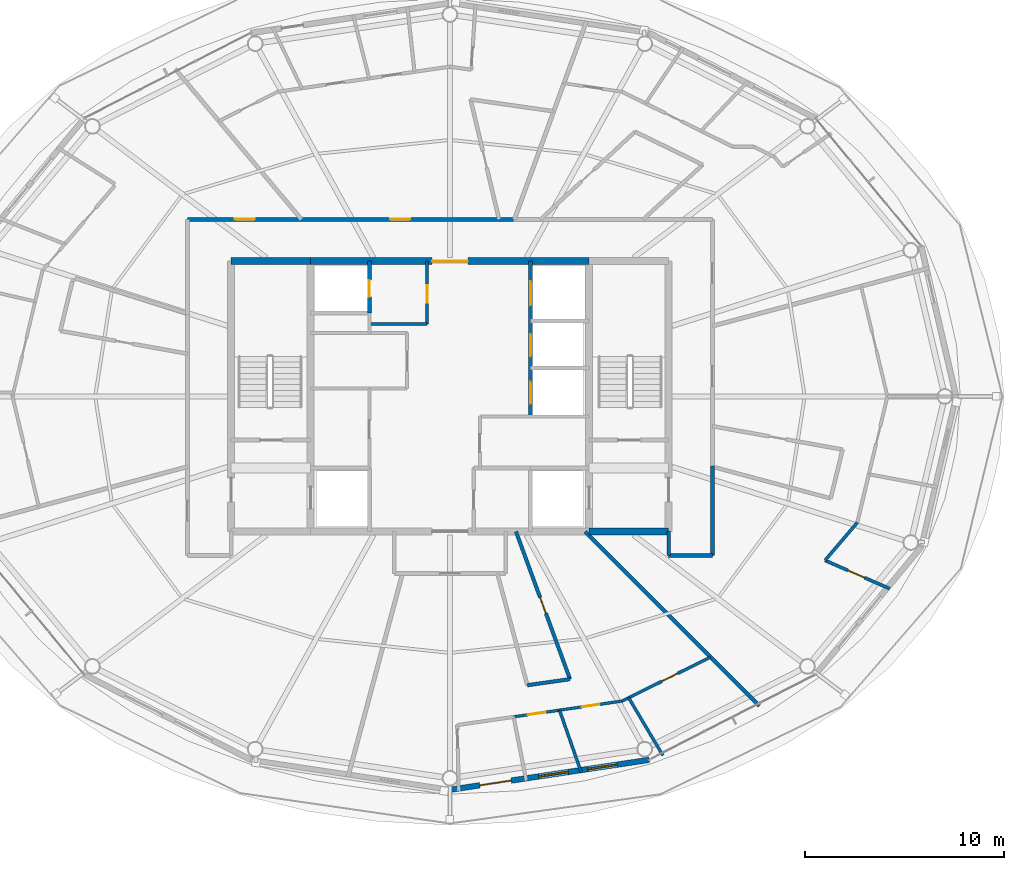
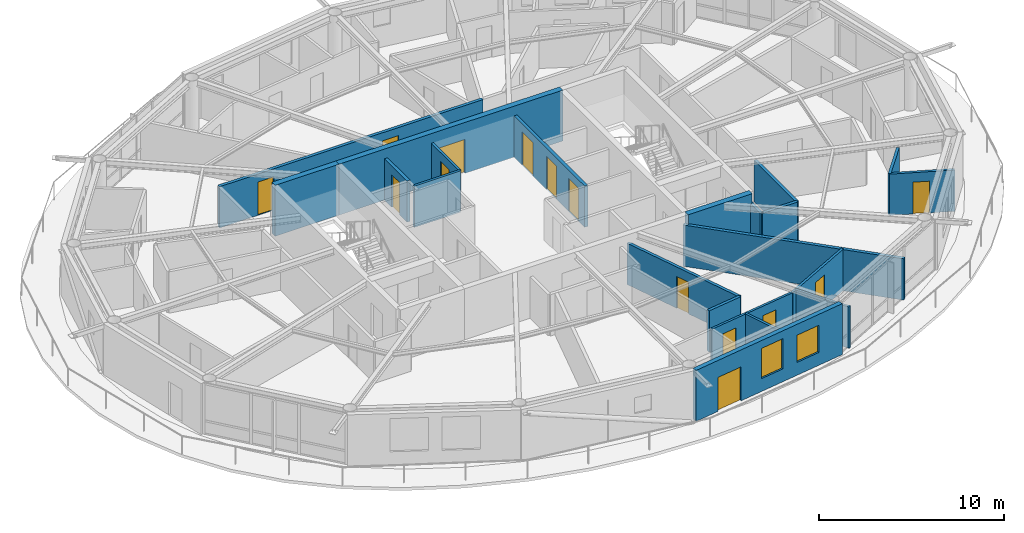
# One storey, part 17 of 23: 21 walls, 14 doors, 2 windows, 16 openings.
"""IFC4 building model written with IfcOpenShell, lengths in metres."""

from ifc_helpers import new_model, si_unit, direction, frame, frame_2d, origin, place, context, subcontext, project, spatial, rectangle, extrude, material, layer, layer_set, type_object, element, fill, save


model = new_model("IFC4")

# Units and contexts
model_context = context("Model", 3, precision=1e-05, world=origin(), true_north=direction((0.0, 1.0)))
body_context = subcontext(model_context, "Body", "Model", "MODEL_VIEW")
ifc_project = project(units=[si_unit("LENGTHUNIT", "METRE"), si_unit("AREAUNIT", "SQUARE_METRE"), si_unit("VOLUMEUNIT", "CUBIC_METRE"), si_unit("PLANEANGLEUNIT", "RADIAN"), si_unit("MASSUNIT", "GRAM", prefix="KILO")], contexts=[model_context])

# Site, building, storey
site_placement = place(None, origin())
site = spatial("IfcSite", under=ifc_project, at=site_placement, CompositionType="ELEMENT")
building_placement = place(site_placement, origin())
building = spatial("IfcBuilding", under=site, at=building_placement, Name="Sarneth Arch Tower", CompositionType="ELEMENT")
storey_placement = place(building_placement, frame((0.0, 0.0, 269.39990234375)))
storey = spatial("IfcBuildingStorey", under=building, at=storey_placement, Name="L69", CompositionType="ELEMENT", Elevation=269.39990234375)

# Walls
ifc_material_1 = material(Name="Concrete C50/60", Category="concrete")
ifc_layer_1 = layer(ifc_material_1, 0.35009765625)
ifc_layer_set_1 = layer_set([ifc_layer_1], Name="Concrete C50/60")
wall_type_1 = type_object("IfcWallType", Name="WALL-CORE-350", PredefinedType="SHEAR", material=ifc_layer_set_1)
for number, where, z_axis, x_axis, name in (
    (1, (55.0, 35.199951171875, 0.0), (0.0, 0.0, 1.0), (1.0, 0.0, 0.0), "L69 Core shear wall S-E"),
    (2, (37.0, 48.800048828125, 0.0), (0.0, 0.0, 1.0), (1.0, 0.0, 0.0), "L69 Core shear wall N-W"),
):
    element("IfcWall", number, at=place(storey_placement, frame(where, z_axis=z_axis, x_axis=x_axis)), inside=storey, type_object=wall_type_1, Name=name, PredefinedType="SHEAR", context=body_context, shape_type="SweptSolid", body=[
        extrude(rectangle(XDim=4.0, YDim=0.35009765625, at=frame_2d((2.0, 0.0))), origin(), (0.0, 0.0, 1.0), 3.3701171875),
    ])

# Wall, opening, door
wall_1_placement = place(storey_placement, frame((41.0, 48.800048828125, 0.0), z_axis=(0.0, 0.0, 1.0), x_axis=(1.0, 0.0, 0.0)))
wall_1 = element("IfcWall", 3, at=wall_1_placement, inside=storey, type_object=wall_type_1, Name="L69 Core shear wall N-M", PredefinedType="SHEAR", context=body_context, shape_type="SweptSolid", body=[
    extrude(rectangle(XDim=14.0, YDim=0.35009765625, at=frame_2d((7.0, 0.0))), origin(), (0.0, 0.0, 1.0), 3.3701171875),
])
opening_1_placement = place(wall_1_placement, frame((6.10009765625, 0.0, 0.0)))
opening_1 = element("IfcOpeningElement", 4, at=opening_1_placement, cuts=wall_1, Name="Opening FD-01", PredefinedType="OPENING", context=body_context, shape_type="SweptSolid", body=[
    extrude(rectangle(XDim=1.800048828125, YDim=2.25, at=frame_2d((0.89990234375, 1.125))), frame((0.0, 0.18505859375, 0.0), z_axis=(0.0, -1.0, 0.0), x_axis=(1.0, 0.0, 0.0)), (0.0, 0.0, 1.0), 0.3701171875),
])
ifc_material_2 = material(Name="Galvanised Steel S275 fire door set", Category="steel")
door_type_1 = type_object("IfcDoorType", Name="DR-FD90-1800", OperationType="DOUBLE_DOOR_SINGLE_SWING", PredefinedType="DOOR", material=ifc_material_2)
door_1_placement = place(opening_1_placement, origin())
door_1 = element("IfcDoor", 5, at=door_1_placement, inside=storey, type_object=door_type_1, Name="L69 Central lift lobby north door", OperationType="DOUBLE_DOOR_SINGLE_SWING", OverallHeight=2.25, OverallWidth=1.800048828125, PredefinedType="DOOR", context=body_context, shape_type="SweptSolid", body=[
    extrude(rectangle(XDim=1.800048828125, YDim=2.25, at=frame_2d((0.89990234375, 1.125))), frame((0.0, 0.02490234375, 0.0), z_axis=(0.0, -1.0, 0.0), x_axis=(1.0, 0.0, 0.0)), (0.0, 0.0, 1.0), 0.050048828125),
])
fill(opening_1, door_1)

# Wall, openings, doors
ifc_material_3 = material(Name="Double steel-stud corridor fire wall", Category="steel")
ifc_layer_2 = layer(ifc_material_3, 0.18994140625)
ifc_layer_set_2 = layer_set([ifc_layer_2], Name="Double steel-stud corridor fire wall")
wall_type_2 = type_object("IfcWallType", Name="WALL-CORR-190", PredefinedType="PARTITIONING", material=ifc_layer_set_2)
wall_2_placement = place(storey_placement, frame((34.800048828125, 50.89990234375, 0.0), z_axis=(0.0, 0.0, 1.0), x_axis=(1.0, 0.0, 0.0)))
wall_2 = element("IfcWall", 6, at=wall_2_placement, inside=storey, type_object=wall_type_2, Name="L69 Interior partition W-L69-TP-005", PredefinedType="PARTITIONING", context=body_context, shape_type="SweptSolid", body=[
    extrude(rectangle(XDim=16.473388671875, YDim=0.18994140625, at=frame_2d((8.23681640625, 0.0))), origin(), (0.0, 0.0, 1.0), 2.72998046875),
])
opening_2_placement = place(wall_2_placement, frame((10.1962890625, 0.0, 0.0)))
opening_2 = element("IfcOpeningElement", 7, at=opening_2_placement, cuts=wall_2, Name="Opening FD-08", PredefinedType="OPENING", context=body_context, shape_type="SweptSolid", body=[
    extrude(rectangle(XDim=1.0, YDim=2.199951171875, at=frame_2d((0.5, 1.10009765625))), frame((0.0, 0.10498046875, 0.0), z_axis=(0.0, -1.0, 0.0), x_axis=(1.0, 0.0, 0.0)), (0.0, 0.0, 1.0), 0.2099609375),
])
opening_3_placement = place(wall_2_placement, frame((2.386962890625, 0.0, 0.0)))
opening_3 = element("IfcOpeningElement", 8, at=opening_3_placement, cuts=wall_2, Name="Opening FD-08", PredefinedType="OPENING", context=body_context, shape_type="SweptSolid", body=[
    extrude(rectangle(XDim=1.0, YDim=2.199951171875, at=frame_2d((0.5, 1.10009765625))), frame((0.0, 0.10498046875, 0.0), z_axis=(0.0, -1.0, 0.0), x_axis=(1.0, 0.0, 0.0)), (0.0, 0.0, 1.0), 0.2099609375),
])
ifc_material_4 = material(Name="Hardwood timber acoustic fire door", Category="wood")
door_type_2 = type_object("IfcDoorType", Name="DR-FD60-1000", OperationType="SINGLE_SWING_LEFT", PredefinedType="DOOR", material=ifc_material_4)
door_2_placement = place(opening_2_placement, origin())
door_2 = element("IfcDoor", 9, at=door_2_placement, inside=storey, type_object=door_type_2, Name="L69 Interior door DR-L69-U2-ENT", OperationType="SINGLE_SWING_LEFT", OverallHeight=2.199951171875, OverallWidth=1.0, PredefinedType="DOOR", context=body_context, shape_type="SweptSolid", body=[
    extrude(rectangle(XDim=1.0, YDim=2.199951171875, at=frame_2d((0.5, 1.10009765625))), frame((0.0, 0.02490234375, 0.0), z_axis=(0.0, -1.0, 0.0), x_axis=(1.0, 0.0, 0.0)), (0.0, 0.0, 1.0), 0.050048828125),
])
fill(opening_2, door_2)
door_3_placement = place(opening_3_placement, origin())
door_3 = element("IfcDoor", 10, at=door_3_placement, inside=storey, type_object=door_type_2, Name="L69 Interior door DR-L69-U3-ENT", OperationType="SINGLE_SWING_LEFT", OverallHeight=2.199951171875, OverallWidth=1.0, PredefinedType="DOOR", context=body_context, shape_type="SweptSolid", body=[
    extrude(rectangle(XDim=1.0, YDim=2.199951171875, at=frame_2d((0.5, 1.10009765625))), frame((0.0, 0.02490234375, 0.0), z_axis=(0.0, -1.0, 0.0), x_axis=(1.0, 0.0, 0.0)), (0.0, 0.0, 1.0), 0.050048828125),
])
fill(opening_3, door_3)

# Walls
wall_3_placement = place(storey_placement, frame((61.199951171875, 38.49609375, 0.0), z_axis=(0.0, 0.0, 1.0), x_axis=(0.0, -1.0, 0.0)))
element("IfcWall", 11, at=wall_3_placement, inside=storey, type_object=wall_type_2, Name="L69 Interior partition W-L69-TP-014", PredefinedType="PARTITIONING", context=body_context, shape_type="SweptSolid", body=[
    extrude(rectangle(XDim=4.49609375, YDim=0.18994140625, at=frame_2d((2.248046875, 0.0))), origin(), (0.0, 0.0, 1.0), 2.72998046875),
])
wall_4_placement = place(storey_placement, frame((61.199951171875, 34.0, 0.0), z_axis=(0.0, 0.0, 1.0), x_axis=(-1.0, 0.0, 0.0)))
element("IfcWall", 12, at=wall_4_placement, inside=storey, type_object=wall_type_2, Name="L69 Interior partition W-L69-TP-015", PredefinedType="PARTITIONING", context=body_context, shape_type="SweptSolid", body=[
    extrude(rectangle(XDim=2.199951171875, YDim=0.18994140625, at=frame_2d((1.10009765625, 0.0))), origin(), (0.0, 0.0, 1.0), 2.72998046875),
])
wall_5_placement = place(storey_placement, frame((59.0, 34.0, 0.0), z_axis=(0.0, 0.0, 1.0), x_axis=(0.0, 1.0, 0.0)))
element("IfcWall", 13, at=wall_5_placement, inside=storey, type_object=wall_type_2, Name="L69 Interior partition W-L69-TP-016", PredefinedType="PARTITIONING", context=body_context, shape_type="SweptSolid", body=[
    extrude(rectangle(XDim=1.23193359375, YDim=0.18994140625, at=frame_2d((0.615966796875, 0.0))), origin(), (0.0, 0.0, 1.0), 2.72998046875),
])

# Wall, openings, door, windows
ifc_material_5 = material(Name="Extruded terracotta rainscreen on Concrete C40/50 backing", Category="masonry")
ifc_layer_3 = layer(ifc_material_5, 0.280029296875)
ifc_layer_set_3 = layer_set([ifc_layer_3], Name="Extruded terracotta rainscreen on Concrete C40/50 backing")
wall_type_3 = type_object("IfcWallType", Name="WALL-EXT-TERRA-280", PredefinedType="SOLIDWALL", material=ifc_layer_set_3)
wall_6_placement = place(storey_placement, frame((48.0, 22.219970703125, 0.0), z_axis=(0.0, 0.0, 1.0), x_axis=(0.988882522213, 0.148698881169, 0.0)))
wall_6 = element("IfcWall", 14, at=wall_6_placement, inside=storey, type_object=wall_type_3, Name="L69 Terracotta perimeter wall 13", PredefinedType="SOLIDWALL", context=body_context, shape_type="SweptSolid", body=[
    extrude(rectangle(XDim=10.125244140625, YDim=0.280029296875, at=frame_2d((5.0625, 0.0))), origin(), (0.0, 0.0, 1.0), 3.3701171875),
])
opening_4_placement = place(wall_6_placement, frame((1.51611328125, 0.0, 0.0)))
opening_4 = element("IfcOpeningElement", 15, at=opening_4_placement, cuts=wall_6, Name="Opening BD-1", PredefinedType="OPENING", context=body_context, shape_type="SweptSolid", body=[
    extrude(rectangle(XDim=1.60009765625, YDim=2.25, at=frame_2d((0.800048828125, 1.125))), frame((0.0, 0.14990234375, 0.0), z_axis=(0.0, -1.0, 0.0), x_axis=(1.0, 0.0, 0.0)), (0.0, 0.0, 1.0), 0.300048828125),
])
opening_5_placement = place(wall_6_placement, frame((4.511474609375, 0.0, 0.85009765625)))
opening_5 = element("IfcOpeningElement", 16, at=opening_5_placement, cuts=wall_6, Name="Opening W-06", PredefinedType="OPENING", context=body_context, shape_type="SweptSolid", body=[
    extrude(rectangle(XDim=1.5, YDim=2.0, at=frame_2d((0.75, 1.0))), frame((0.0, 0.14990234375, 0.0), z_axis=(0.0, -1.0, 0.0), x_axis=(1.0, 0.0, 0.0)), (0.0, 0.0, 1.0), 0.300048828125),
])
opening_6_placement = place(wall_6_placement, frame((6.997314453125, 0.0, 0.85009765625)))
opening_6 = element("IfcOpeningElement", 17, at=opening_6_placement, cuts=wall_6, Name="Opening W-07", PredefinedType="OPENING", context=body_context, shape_type="SweptSolid", body=[
    extrude(rectangle(XDim=1.5, YDim=1.800048828125, at=frame_2d((0.75, 0.89990234375))), frame((0.0, 0.14990234375, 0.0), z_axis=(0.0, -1.0, 0.0), x_axis=(1.0, 0.0, 0.0)), (0.0, 0.0, 1.0), 0.300048828125),
])
ifc_material_6 = material(Name="Thermally broken Aluminium 6063-T6 and laminated safety glass", Category="aluminium")
door_type_3 = type_object("IfcDoorType", Name="DR-BALC-GLZ-1600", OperationType="DOUBLE_DOOR_SINGLE_SWING", PredefinedType="DOOR", material=ifc_material_6)
door_4_placement = place(opening_4_placement, origin())
door_4 = element("IfcDoor", 18, at=door_4_placement, inside=storey, type_object=door_type_3, Name="L69 Balcony glazed door 13", OperationType="DOUBLE_DOOR_SINGLE_SWING", OverallHeight=2.25, OverallWidth=1.60009765625, PredefinedType="DOOR", context=body_context, shape_type="SweptSolid", body=[
    extrude(rectangle(XDim=1.60009765625, YDim=2.25, at=frame_2d((0.800048828125, 1.125))), frame((0.0, 0.02490234375, 0.0), z_axis=(0.0, -1.0, 0.0), x_axis=(1.0, 0.0, 0.0)), (0.0, 0.0, 1.0), 0.050048828125),
])
fill(opening_4, door_4)
ifc_material_7 = material(Name="Thermally broken Aluminium 6063-T6 and low-e laminated IGU", Category="aluminium")
window_type_1 = type_object("IfcWindowType", Name="WIN-TWR-1500x1800", PartitioningType="SINGLE_PANEL", PredefinedType="WINDOW", material=ifc_material_7)
window_1_placement = place(opening_6_placement, origin())
window_1 = element("IfcWindow", 19, at=window_1_placement, inside=storey, type_object=window_type_1, Name="L69 Exterior window 13B", OverallHeight=1.800048828125, OverallWidth=1.5, PartitioningType="SINGLE_PANEL", PredefinedType="WINDOW", context=body_context, shape_type="SweptSolid", body=[
    extrude(rectangle(XDim=1.5, YDim=1.800048828125, at=frame_2d((0.75, 0.89990234375))), frame((0.0, 0.030029296875, 0.0), z_axis=(0.0, -1.0, 0.0), x_axis=(1.0, 0.0, 0.0)), (0.0, 0.0, 1.0), 0.06005859375),
])
fill(opening_6, window_1)
ifc_material_8 = material(Name="Thermally broken Aluminium 6063-T6 and low-e laminated IGU", Category="aluminium")
window_type_2 = type_object("IfcWindowType", Name="WIN-TWR-1500x2000", PartitioningType="SINGLE_PANEL", PredefinedType="WINDOW", material=ifc_material_8)
window_2_placement = place(opening_5_placement, origin())
window_2 = element("IfcWindow", 20, at=window_2_placement, inside=storey, type_object=window_type_2, Name="L69 Exterior window 13A", OverallHeight=2.0, OverallWidth=1.5, PartitioningType="SINGLE_PANEL", PredefinedType="WINDOW", context=body_context, shape_type="SweptSolid", body=[
    extrude(rectangle(XDim=1.5, YDim=2.0, at=frame_2d((0.75, 1.0))), frame((0.0, 0.030029296875, 0.0), z_axis=(0.0, -1.0, 0.0), x_axis=(1.0, 0.0, 0.0)), (0.0, 0.0, 1.0), 0.06005859375),
])
fill(opening_5, window_2)

# Wall, openings, doors
ifc_material_9 = material(Name="Apartment internal stud partition", Category="gypsum")
ifc_layer_4 = layer(ifc_material_9, 0.139892578125)
ifc_layer_set_4 = layer_set([ifc_layer_4], Name="Apartment internal stud partition")
wall_type_4 = type_object("IfcWallType", Name="WALL-PART-140", PredefinedType="PARTITIONING", material=ifc_layer_set_4)
wall_7_placement = place(storey_placement, frame((56.65478515625, 26.68212890625, 0.0), z_axis=(0.0, 0.0, 1.0), x_axis=(-0.989532194991, -0.144312283177, 0.0)))
wall_7 = element("IfcWall", 21, at=wall_7_placement, inside=storey, type_object=wall_type_4, Name="L69 Interior partition W-L69-TP-080", PredefinedType="PARTITIONING", context=body_context, shape_type="SweptSolid", body=[
    extrude(rectangle(XDim=5.5439453125, YDim=0.139892578125, at=frame_2d((2.77197265625, 0.0))), origin(), (0.0, 0.0, 1.0), 2.72998046875),
])
opening_7_placement = place(wall_7_placement, frame((1.155517578125, 0.0, 0.0)))
opening_7 = element("IfcOpeningElement", 22, at=opening_7_placement, cuts=wall_7, Name="Opening ID-01", PredefinedType="OPENING", context=body_context, shape_type="SweptSolid", body=[
    extrude(rectangle(XDim=0.89990234375, YDim=2.10009765625, at=frame_2d((0.449951171875, 1.050048828125))), frame((0.0, 0.079833984375, 0.0), z_axis=(0.0, -1.0, 0.0), x_axis=(1.0, 0.0, 0.0)), (0.0, 0.0, 1.0), 0.159912109375),
])
opening_8_placement = place(wall_7_placement, frame((3.894775390625, 0.0, 0.0)))
opening_8 = element("IfcOpeningElement", 23, at=opening_8_placement, cuts=wall_7, Name="Opening ID-01", PredefinedType="OPENING", context=body_context, shape_type="SweptSolid", body=[
    extrude(rectangle(XDim=0.89990234375, YDim=2.10009765625, at=frame_2d((0.449951171875, 1.050048828125))), frame((0.0, 0.079833984375, 0.0), z_axis=(0.0, -1.0, 0.0), x_axis=(1.0, 0.0, 0.0)), (0.0, 0.0, 1.0), 0.159912109375),
])
ifc_material_10 = material(Name="Engineered hardwood flush door", Category="wood")
door_type_4 = type_object("IfcDoorType", Name="DR-INT-900", OperationType="SINGLE_SWING_LEFT", PredefinedType="DOOR", material=ifc_material_10)
door_5_placement = place(opening_7_placement, origin())
door_5 = element("IfcDoor", 24, at=door_5_placement, inside=storey, type_object=door_type_4, Name="L69 Interior door DR-L69-U5-BED2", OperationType="SINGLE_SWING_LEFT", OverallHeight=2.10009765625, OverallWidth=0.89990234375, PredefinedType="DOOR", context=body_context, shape_type="SweptSolid", body=[
    extrude(rectangle(XDim=0.89990234375, YDim=2.10009765625, at=frame_2d((0.449951171875, 1.050048828125))), frame((0.0, 0.02490234375, 0.0), z_axis=(0.0, -1.0, 0.0), x_axis=(1.0, 0.0, 0.0)), (0.0, 0.0, 1.0), 0.050048828125),
])
fill(opening_7, door_5)
door_6_placement = place(opening_8_placement, origin())
door_6 = element("IfcDoor", 25, at=door_6_placement, inside=storey, type_object=door_type_4, Name="L69 Interior door DR-L69-U5-BED1", OperationType="SINGLE_SWING_RIGHT", OverallHeight=2.10009765625, OverallWidth=0.89990234375, PredefinedType="DOOR", context=body_context, shape_type="SweptSolid", body=[
    extrude(rectangle(XDim=0.89990234375, YDim=2.10009765625, at=frame_2d((0.449951171875, 1.050048828125))), frame((0.0, 0.02490234375, 0.0), z_axis=(0.0, -1.0, 0.0), x_axis=(1.0, 0.0, 0.0)), (0.0, 0.0, 1.0), 0.050048828125),
])
fill(opening_8, door_6)

# Wall
ifc_material_11 = material(Name="Acoustic gypsum stud partition", Category="gypsum")
ifc_layer_5 = layer(ifc_material_11, 0.14990234375)
ifc_layer_set_5 = layer_set([ifc_layer_5], Name="Acoustic gypsum stud partition")
wall_type_5 = type_object("IfcWallType", Name="WALL-PART-150", PredefinedType="PARTITIONING", material=ifc_layer_set_5)
wall_8_placement = place(storey_placement, frame((43.949951171875, 45.64990234375, 0.0), z_axis=(0.0, 0.0, 1.0), x_axis=(1.0, 0.0, 0.0)))
element("IfcWall", 26, at=wall_8_placement, inside=storey, type_object=wall_type_5, Name="L69 Interior partition W-L69-CSUP1-S", PredefinedType="PARTITIONING", context=body_context, shape_type="SweptSolid", body=[
    extrude(rectangle(XDim=2.900146484375, YDim=0.14990234375, at=frame_2d((1.4501953125, 0.0))), origin(), (0.0, 0.0, 1.0), 2.72998046875),
])

# Wall, opening, door
wall_9_placement = place(storey_placement, frame((46.85009765625, 45.64990234375, 0.0), z_axis=(0.0, 0.0, 1.0), x_axis=(0.0, 1.0, 0.0)))
wall_9 = element("IfcWall", 27, at=wall_9_placement, inside=storey, type_object=wall_type_5, Name="L69 Interior partition W-L69-CSUP1-E", PredefinedType="PARTITIONING", context=body_context, shape_type="SweptSolid", body=[
    extrude(rectangle(XDim=3.150146484375, YDim=0.14990234375, at=frame_2d((1.5751953125, 0.0))), origin(), (0.0, 0.0, 1.0), 2.72998046875),
])
opening_9_placement = place(wall_9_placement, frame((1.050048828125, 0.0, 0.0)))
opening_9 = element("IfcOpeningElement", 28, at=opening_9_placement, cuts=wall_9, Name="Opening FD-10", PredefinedType="OPENING", context=body_context, shape_type="SweptSolid", body=[
    extrude(rectangle(XDim=0.89990234375, YDim=2.14990234375, at=frame_2d((0.449951171875, 1.074951171875))), frame((0.0, 0.0849609375, 0.0), z_axis=(0.0, -1.0, 0.0), x_axis=(1.0, 0.0, 0.0)), (0.0, 0.0, 1.0), 0.169921875),
])
ifc_material_12 = material(Name="Galvanised Steel S275 riser/service fire door", Category="steel")
door_type_5 = type_object("IfcDoorType", Name="DR-FD60-900", OperationType="SINGLE_SWING_LEFT", PredefinedType="DOOR", material=ifc_material_12)
door_7_placement = place(opening_9_placement, origin())
door_7 = element("IfcDoor", 29, at=door_7_placement, inside=storey, type_object=door_type_5, Name="L69 Interior door DR-L69-CSUP1", OperationType="SINGLE_SWING_LEFT", OverallHeight=2.14990234375, OverallWidth=0.89990234375, PredefinedType="DOOR", context=body_context, shape_type="SweptSolid", body=[
    extrude(rectangle(XDim=0.89990234375, YDim=2.14990234375, at=frame_2d((0.449951171875, 1.074951171875))), frame((0.0, 0.02490234375, 0.0), z_axis=(0.0, -1.0, 0.0), x_axis=(1.0, 0.0, 0.0)), (0.0, 0.0, 1.0), 0.050048828125),
])
fill(opening_9, door_7)

wall_10_placement = place(storey_placement, frame((56.65478515625, 26.68212890625, 0.0), z_axis=(0.0, 0.0, 1.0), x_axis=(0.895583327025, 0.444893812449, 0.0)))
wall_10 = element("IfcWall", 30, at=wall_10_placement, inside=storey, type_object=wall_type_5, Name="L69 Interior partition W-L69-TP-081", PredefinedType="PARTITIONING", context=body_context, shape_type="SweptSolid", body=[
    extrude(rectangle(XDim=4.970703125, YDim=0.14990234375, at=frame_2d((2.4853515625, 0.0))), origin(), (0.0, 0.0, 1.0), 2.72998046875),
])
opening_10_placement = place(wall_10_placement, frame((2.22021484375, 0.0, 0.0)))
opening_10 = element("IfcOpeningElement", 31, at=opening_10_placement, cuts=wall_10, Name="Opening ID-01", PredefinedType="OPENING", context=body_context, shape_type="SweptSolid", body=[
    extrude(rectangle(XDim=0.89990234375, YDim=2.10009765625, at=frame_2d((0.449951171875, 1.050048828125))), frame((0.0, 0.0849609375, 0.0), z_axis=(0.0, -1.0, 0.0), x_axis=(1.0, 0.0, 0.0)), (0.0, 0.0, 1.0), 0.169921875),
])
door_8_placement = place(opening_10_placement, origin())
door_8 = element("IfcDoor", 32, at=door_8_placement, inside=storey, type_object=door_type_4, Name="L69 Interior door DR-L69-U5-BED3", OperationType="SINGLE_SWING_LEFT", OverallHeight=2.10009765625, OverallWidth=0.89990234375, PredefinedType="DOOR", context=body_context, shape_type="SweptSolid", body=[
    extrude(rectangle(XDim=0.89990234375, YDim=2.10009765625, at=frame_2d((0.449951171875, 1.050048828125))), frame((0.0, 0.02490234375, 0.0), z_axis=(0.0, -1.0, 0.0), x_axis=(1.0, 0.0, 0.0)), (0.0, 0.0, 1.0), 0.050048828125),
])
fill(opening_10, door_8)

# Walls
wall_11_placement = place(storey_placement, frame((58.705810546875, 23.9462890625, 0.0), z_axis=(0.0, 0.0, 1.0), x_axis=(-0.510016720958, 0.860164486795, 0.0)))
element("IfcWall", 33, at=wall_11_placement, inside=storey, type_object=wall_type_5, Name="L69 Interior partition W-L69-TP-085", PredefinedType="PARTITIONING", context=body_context, shape_type="SweptSolid", body=[
    extrude(rectangle(XDim=3.371826171875, YDim=0.14990234375, at=frame_2d((1.68603515625, 0.0))), origin(), (0.0, 0.0, 1.0), 2.72998046875),
])
wall_12_placement = place(storey_placement, frame((53.509765625, 26.223388671875, 0.0), z_axis=(0.0, 0.0, 1.0), x_axis=(0.329694293347, -0.944087746417, 0.0)))
element("IfcWall", 34, at=wall_12_placement, inside=storey, type_object=wall_type_5, Name="L69 Interior partition W-L69-TP-084", PredefinedType="PARTITIONING", context=body_context, shape_type="SweptSolid", body=[
    extrude(rectangle(XDim=3.315185546875, YDim=0.14990234375, at=frame_2d((1.65771484375, 0.0))), origin(), (0.0, 0.0, 1.0), 2.72998046875),
])

# Wall, opening, door
ifc_material_13 = material(Name="Kitchen wet service chase wall", Category="gypsum")
ifc_layer_6 = layer(ifc_material_13, 0.159912109375)
ifc_layer_set_6 = layer_set([ifc_layer_6], Name="Kitchen wet service chase wall")
wall_type_6 = type_object("IfcWallType", Name="WALL-PLUMB-160", PredefinedType="PLUMBINGWALL", material=ifc_layer_set_6)
wall_13_placement = place(storey_placement, frame((70.10791015625, 32.33349609375, 0.0), z_axis=(0.0, 0.0, 1.0), x_axis=(-0.916236311754, 0.400638267048, 0.0)))
wall_13 = element("IfcWall", 35, at=wall_13_placement, inside=storey, type_object=wall_type_6, Name="L69 Interior partition W-L69-TP-087", PredefinedType="PLUMBINGWALL", context=body_context, shape_type="SweptSolid", body=[
    extrude(rectangle(XDim=3.546630859375, YDim=0.159912109375, at=frame_2d((1.7734375, 0.0))), origin(), (0.0, 0.0, 1.0), 2.72998046875),
])
opening_11_placement = place(wall_13_placement, frame((1.38330078125, 0.0, 0.0)))
opening_11 = element("IfcOpeningElement", 36, at=opening_11_placement, cuts=wall_13, Name="Opening ID-01", PredefinedType="OPENING", context=body_context, shape_type="SweptSolid", body=[
    extrude(rectangle(XDim=0.89990234375, YDim=2.10009765625, at=frame_2d((0.449951171875, 1.050048828125))), frame((0.0, 0.08984375, 0.0), z_axis=(0.0, -1.0, 0.0), x_axis=(1.0, 0.0, 0.0)), (0.0, 0.0, 1.0), 0.179931640625),
])
door_9_placement = place(opening_11_placement, origin())
door_9 = element("IfcDoor", 37, at=door_9_placement, inside=storey, type_object=door_type_4, Name="L69 Interior door DR-L69-U6-KIT", OperationType="SINGLE_SWING_LEFT", OverallHeight=2.10009765625, OverallWidth=0.89990234375, PredefinedType="DOOR", context=body_context, shape_type="SweptSolid", body=[
    extrude(rectangle(XDim=0.89990234375, YDim=2.10009765625, at=frame_2d((0.449951171875, 1.050048828125))), frame((0.0, 0.02490234375, 0.0), z_axis=(0.0, -1.0, 0.0), x_axis=(1.0, 0.0, 0.0)), (0.0, 0.0, 1.0), 0.050048828125),
])
fill(opening_11, door_9)

# Wall
wall_14_placement = place(storey_placement, frame((66.8583984375, 33.75439453125, 0.0), z_axis=(0.0, 0.0, 1.0), x_axis=(0.649277541607, 0.760551559044, 0.0)))
element("IfcWall", 38, at=wall_14_placement, inside=storey, type_object=wall_type_6, Name="L69 Interior partition W-L69-TP-088", PredefinedType="PLUMBINGWALL", context=body_context, shape_type="SweptSolid", body=[
    extrude(rectangle(XDim=2.4990234375, YDim=0.159912109375, at=frame_2d((1.24951171875, 0.0))), origin(), (0.0, 0.0, 1.0), 2.72998046875),
])

# Wall, opening, door
ifc_material_14 = material(Name="Moisture-resistant plumbing chase wall", Category="gypsum")
ifc_layer_7 = layer(ifc_material_14, 0.179931640625)
ifc_layer_set_7 = layer_set([ifc_layer_7], Name="Moisture-resistant plumbing chase wall")
wall_type_7 = type_object("IfcWallType", Name="WALL-PLUMB-180", PredefinedType="PLUMBINGWALL", material=ifc_layer_set_7)
wall_15_placement = place(storey_placement, frame((51.322021484375, 35.199951171875, 0.0), z_axis=(0.0, 0.0, 1.0), x_axis=(0.343730484072, -0.939068343796, 0.0)))
wall_15 = element("IfcWall", 39, at=wall_15_placement, inside=storey, type_object=wall_type_7, Name="L69 Interior partition W-L69-TP-075", PredefinedType="PLUMBINGWALL", context=body_context, shape_type="SweptSolid", body=[
    extrude(rectangle(XDim=7.8974609375, YDim=0.179931640625, at=frame_2d((3.94873046875, 0.0))), origin(), (0.0, 0.0, 1.0), 2.72998046875),
])
opening_12_placement = place(wall_15_placement, frame((3.523681640625, 0.0, 0.0)))
opening_12 = element("IfcOpeningElement", 40, at=opening_12_placement, cuts=wall_15, Name="Opening ID-02", PredefinedType="OPENING", context=body_context, shape_type="SweptSolid", body=[
    extrude(rectangle(XDim=0.85009765625, YDim=2.10009765625, at=frame_2d((0.425048828125, 1.050048828125))), frame((0.0, 0.099853515625, 0.0), z_axis=(0.0, -1.0, 0.0), x_axis=(1.0, 0.0, 0.0)), (0.0, 0.0, 1.0), 0.199951171875),
])
ifc_material_15 = material(Name="Moisture-resistant bathroom timber door", Category="wood")
door_type_6 = type_object("IfcDoorType", Name="DR-INT-850", OperationType="SINGLE_SWING_RIGHT", PredefinedType="DOOR", material=ifc_material_15)
door_10_placement = place(opening_12_placement, origin())
door_10 = element("IfcDoor", 41, at=door_10_placement, inside=storey, type_object=door_type_6, Name="L69 Interior door DR-L69-U5-BATH", OperationType="SINGLE_SWING_LEFT", OverallHeight=2.10009765625, OverallWidth=0.85009765625, PredefinedType="DOOR", context=body_context, shape_type="SweptSolid", body=[
    extrude(rectangle(XDim=0.85009765625, YDim=2.10009765625, at=frame_2d((0.425048828125, 1.050048828125))), frame((0.0, 0.02490234375, 0.0), z_axis=(0.0, -1.0, 0.0), x_axis=(1.0, 0.0, 0.0)), (0.0, 0.0, 1.0), 0.050048828125),
])
fill(opening_12, door_10)

# Wall
wall_16_placement = place(storey_placement, frame((54.03662109375, 27.78369140625, 0.0), z_axis=(0.0, 0.0, 1.0), x_axis=(-0.989920178177, -0.141626412926, 0.0)))
element("IfcWall", 42, at=wall_16_placement, inside=storey, type_object=wall_type_7, Name="L69 Interior partition W-L69-TP-076", PredefinedType="PLUMBINGWALL", context=body_context, shape_type="SweptSolid", body=[
    extrude(rectangle(XDim=2.166748046875, YDim=0.179931640625, at=frame_2d((1.08349609375, 0.0))), origin(), (0.0, 0.0, 1.0), 2.72998046875),
])

# Wall, opening, door
ifc_material_16 = material(Name="Aerated concrete blockwork C25/30", Category="masonry")
ifc_layer_8 = layer(ifc_material_16, 0.199951171875)
ifc_layer_set_8 = layer_set([ifc_layer_8], Name="Aerated concrete blockwork C25/30")
wall_type_8 = type_object("IfcWallType", Name="WALL-SHAFT-200", PredefinedType="SOLIDWALL", material=ifc_layer_set_8)
wall_17_placement = place(storey_placement, frame((43.949951171875, 46.199951171875, 0.0), z_axis=(0.0, 0.0, 1.0), x_axis=(0.0, 1.0, 0.0)))
wall_17 = element("IfcWall", 43, at=wall_17_placement, inside=storey, type_object=wall_type_8, Name="L69 Interior partition W-L69-RISER-E", PredefinedType="SOLIDWALL", context=body_context, shape_type="SweptSolid", body=[
    extrude(rectangle(XDim=2.60009765625, YDim=0.199951171875, at=frame_2d((1.300048828125, 0.0))), origin(), (0.0, 0.0, 1.0), 2.72998046875),
])
opening_13_placement = place(wall_17_placement, frame((0.800048828125, 0.0, 0.0)))
opening_13 = element("IfcOpeningElement", 44, at=opening_13_placement, cuts=wall_17, Name="Opening FD-11", PredefinedType="OPENING", context=body_context, shape_type="SweptSolid", body=[
    extrude(rectangle(XDim=0.85009765625, YDim=2.14990234375, at=frame_2d((0.425048828125, 1.074951171875))), frame((0.0, 0.10986328125, 0.0), z_axis=(0.0, -1.0, 0.0), x_axis=(1.0, 0.0, 0.0)), (0.0, 0.0, 1.0), 0.219970703125),
])
ifc_material_17 = material(Name="Galvanised Steel S275 closet fire door", Category="steel")
door_type_7 = type_object("IfcDoorType", Name="DR-FD60-850", OperationType="SINGLE_SWING_LEFT", PredefinedType="DOOR", material=ifc_material_17)
door_11_placement = place(opening_13_placement, origin())
door_11 = element("IfcDoor", 45, at=door_11_placement, inside=storey, type_object=door_type_7, Name="L69 Lift landing door DR-L69-RISER", OperationType="SINGLE_SWING_LEFT", OverallHeight=2.14990234375, OverallWidth=0.85009765625, PredefinedType="DOOR", context=body_context, shape_type="SweptSolid", body=[
    extrude(rectangle(XDim=0.85009765625, YDim=2.14990234375, at=frame_2d((0.425048828125, 1.074951171875))), frame((0.0, 0.02490234375, 0.0), z_axis=(0.0, -1.0, 0.0), x_axis=(1.0, 0.0, 0.0)), (0.0, 0.0, 1.0), 0.050048828125),
])
fill(opening_13, door_11)

# Wall, openings, doors
wall_18_placement = place(storey_placement, frame((52.050048828125, 40.97998046875, 0.0), z_axis=(0.0, 0.0, 1.0), x_axis=(0.0, 1.0, 0.0)))
wall_18 = element("IfcWall", 46, at=wall_18_placement, inside=storey, type_object=wall_type_8, Name="L69 Interior partition W-L69-EASTBANK-UPPER", PredefinedType="SOLIDWALL", context=body_context, shape_type="SweptSolid", body=[
    extrude(rectangle(XDim=7.820068359375, YDim=0.199951171875, at=frame_2d((3.91015625, 0.0))), origin(), (0.0, 0.0, 1.0), 2.72998046875),
])
opening_14_placement = place(wall_18_placement, frame((0.64990234375, 0.0, 0.0)))
opening_14 = element("IfcOpeningElement", 47, at=opening_14_placement, cuts=wall_18, Name="Opening LD-1", PredefinedType="OPENING", context=body_context, shape_type="SweptSolid", body=[
    extrude(rectangle(XDim=1.10009765625, YDim=2.199951171875, at=frame_2d((0.550048828125, 1.10009765625))), frame((0.0, 0.10986328125, 0.0), z_axis=(0.0, -1.0, 0.0), x_axis=(1.0, 0.0, 0.0)), (0.0, 0.0, 1.0), 0.219970703125),
])
opening_15_placement = place(wall_18_placement, frame((3.050048828125, 0.0, 0.0)))
opening_15 = element("IfcOpeningElement", 48, at=opening_15_placement, cuts=wall_18, Name="Opening LD-1", PredefinedType="OPENING", context=body_context, shape_type="SweptSolid", body=[
    extrude(rectangle(XDim=1.10009765625, YDim=2.199951171875, at=frame_2d((0.550048828125, 1.10009765625))), frame((0.0, 0.10986328125, 0.0), z_axis=(0.0, -1.0, 0.0), x_axis=(1.0, 0.0, 0.0)), (0.0, 0.0, 1.0), 0.219970703125),
])
opening_16_placement = place(wall_18_placement, frame((5.60009765625, 0.0, 0.0)))
opening_16 = element("IfcOpeningElement", 49, at=opening_16_placement, cuts=wall_18, Name="Opening LD-2", PredefinedType="OPENING", context=body_context, shape_type="SweptSolid", body=[
    extrude(rectangle(XDim=1.199951171875, YDim=2.199951171875, at=frame_2d((0.60009765625, 1.10009765625))), frame((0.0, 0.10986328125, 0.0), z_axis=(0.0, -1.0, 0.0), x_axis=(1.0, 0.0, 0.0)), (0.0, 0.0, 1.0), 0.219970703125),
])
ifc_material_18 = material(Name="Brushed Stainless Steel 304 lift landing door", Category="steel")
door_type_8 = type_object("IfcDoorType", Name="DR-LIFT-SLIDE-1100", OperationType="SLIDING_TO_LEFT", PredefinedType="DOOR", material=ifc_material_18)
door_12_placement = place(opening_14_placement, origin())
door_12 = element("IfcDoor", 50, at=door_12_placement, inside=storey, type_object=door_type_8, Name="L69 Lift landing door DR-L69-LD-PH1", OperationType="SLIDING_TO_RIGHT", OverallHeight=2.199951171875, OverallWidth=1.10009765625, PredefinedType="DOOR", context=body_context, shape_type="SweptSolid", body=[
    extrude(rectangle(XDim=1.10009765625, YDim=2.199951171875, at=frame_2d((0.550048828125, 1.10009765625))), frame((0.0, 0.02490234375, 0.0), z_axis=(0.0, -1.0, 0.0), x_axis=(1.0, 0.0, 0.0)), (0.0, 0.0, 1.0), 0.050048828125),
])
fill(opening_14, door_12)
door_13_placement = place(opening_15_placement, origin())
door_13 = element("IfcDoor", 51, at=door_13_placement, inside=storey, type_object=door_type_8, Name="L69 Lift landing door DR-L69-LD-PH2", OperationType="SLIDING_TO_LEFT", OverallHeight=2.199951171875, OverallWidth=1.10009765625, PredefinedType="DOOR", context=body_context, shape_type="SweptSolid", body=[
    extrude(rectangle(XDim=1.10009765625, YDim=2.199951171875, at=frame_2d((0.550048828125, 1.10009765625))), frame((0.0, 0.02490234375, 0.0), z_axis=(0.0, -1.0, 0.0), x_axis=(1.0, 0.0, 0.0)), (0.0, 0.0, 1.0), 0.050048828125),
])
fill(opening_15, door_13)
ifc_material_19 = material(Name="Brushed Stainless Steel 304 service lift door", Category="steel")
door_type_9 = type_object("IfcDoorType", Name="DR-LIFT-SLIDE-1200", OperationType="SLIDING_TO_RIGHT", PredefinedType="DOOR", material=ifc_material_19)
door_14_placement = place(opening_16_placement, origin())
door_14 = element("IfcDoor", 52, at=door_14_placement, inside=storey, type_object=door_type_9, Name="L69 Lift landing door DR-L69-LD-SL1", OperationType="SLIDING_TO_RIGHT", OverallHeight=2.199951171875, OverallWidth=1.199951171875, PredefinedType="DOOR", context=body_context, shape_type="SweptSolid", body=[
    extrude(rectangle(XDim=1.199951171875, YDim=2.199951171875, at=frame_2d((0.60009765625, 1.10009765625))), frame((0.0, 0.02490234375, 0.0), z_axis=(0.0, -1.0, 0.0), x_axis=(1.0, 0.0, 0.0)), (0.0, 0.0, 1.0), 0.050048828125),
])
fill(opening_16, door_14)

# Wall
ifc_material_20 = material(Name="Double steel-stud acoustic drywall", Category="steel")
ifc_layer_9 = layer(ifc_material_20, 0.199951171875)
ifc_layer_set_9 = layer_set([ifc_layer_9], Name="Double steel-stud acoustic drywall")
wall_type_9 = type_object("IfcWallType", Name="WALL-UNIT-200", PredefinedType="PARTITIONING", material=ifc_layer_set_9)
wall_19_placement = place(storey_placement, frame((63.560546875, 26.439453125, 0.0), z_axis=(0.0, 0.0, 1.0), x_axis=(-0.707106781187, 0.707106781187, 0.0)))
element("IfcWall", 53, at=wall_19_placement, inside=storey, type_object=wall_type_9, Name="L69 Interior partition W-L69-TP-082", PredefinedType="PARTITIONING", context=body_context, shape_type="SweptSolid", body=[
    extrude(rectangle(XDim=12.38916015625, YDim=0.199951171875, at=frame_2d((6.194580078125, 0.0))), origin(), (0.0, 0.0, 1.0), 2.72998046875),
])

save(model, "model.ifc")
